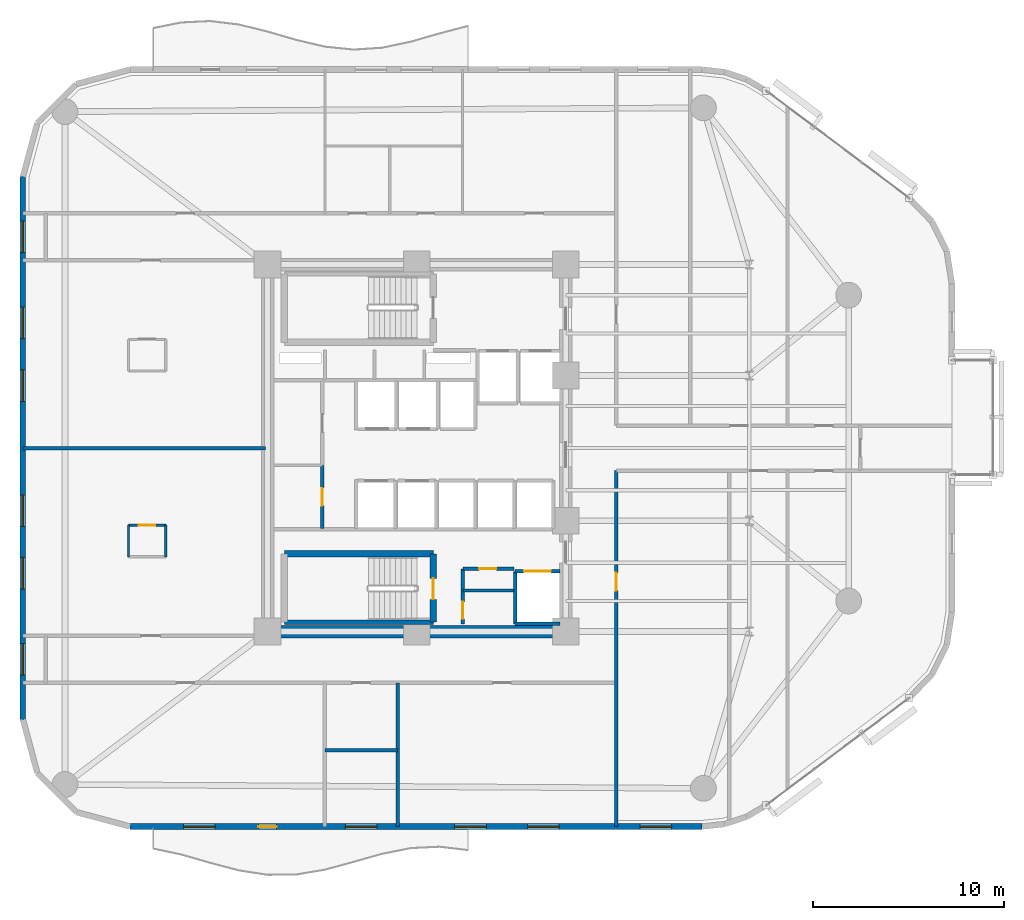
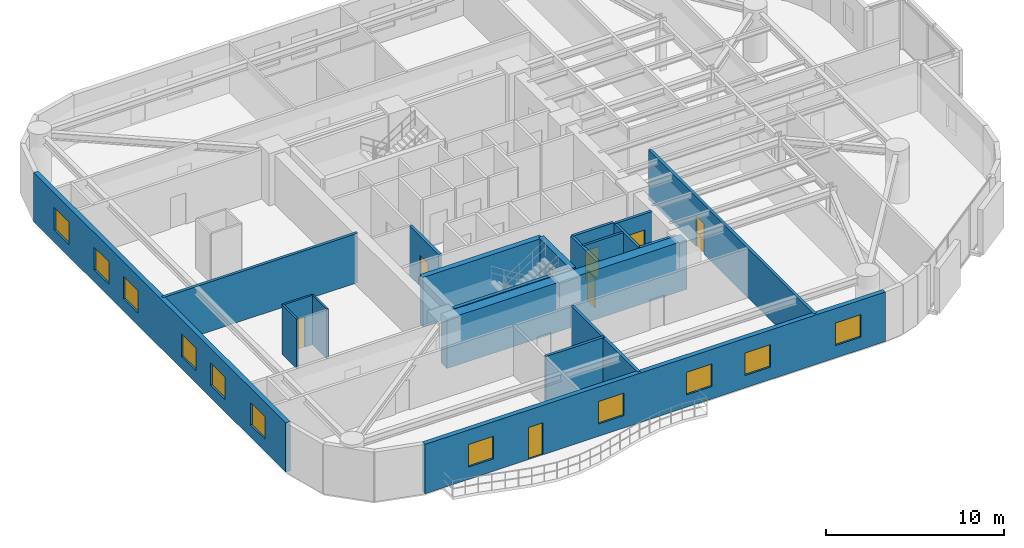
# One storey, part 8 of 14: 20 walls, 11 windows, 8 doors, 19 openings.
"""IFC4 building model written with IfcOpenShell, lengths in metres."""

import ifcopenshell
import ifcopenshell.guid

model = None  # the IFC model being written
_history = None  # IfcOwnerHistory: only IFC2X3 demands one
_inside = {}  # id of a spatial element -> (the spatial element, [elements in it])
_under = {}  # id of a project, library or spatial element -> (it, [spatial elements below it])
_declared = {}  # id of a project -> (the project, [libraries it declares])
_typed = {}  # id of a type object -> (the type object, [elements of that type])
_made_of = {}  # id of a material, layer set ... -> (it, [elements and type objects made of it])


def new_model(schema):
    """Start an empty IFC model of exactly this schema.

    Asked for "IFC4X3", IfcOpenShell would pick the latest addendum, in which some entities
    have other attributes; the version numbers below select the first issue.
    IFC2X3 requires an IfcOwnerHistory on every rooted entity: one is made here for all.
    """
    global model, _history
    if schema == "IFC4X3":
        model = ifcopenshell.file(schema_version=(4, 3, 0, 0))
    else:
        model = ifcopenshell.file(schema=schema)
    _inside.clear()
    _under.clear()
    _declared.clear()
    _typed.clear()
    _made_of.clear()
    _history = None
    if model.schema == "IFC2X3":
        org = make("IfcOrganization", Name="unknown")
        user = make(
            "IfcPersonAndOrganization",
            ThePerson=make("IfcPerson", FamilyName="unknown"),
            TheOrganization=org,
        )
        app = make(
            "IfcApplication",
            ApplicationDeveloper=org,
            Version="unknown",
            ApplicationFullName="unknown",
            ApplicationIdentifier="unknown",
        )
        _history = make(
            "IfcOwnerHistory",
            OwningUser=user,
            OwningApplication=app,
            ChangeAction="ADDED",
            CreationDate=0,
        )
    return model


def make(cls, **values):
    """One entity of the class cls with the attributes given. An attribute that is None is left unset."""
    return model.create_entity(
        cls, **{name: value for name, value in values.items() if value is not None}
    )


def rooted(cls, **values):
    """An entity with a GlobalId (a new one), such as an element, a storey or a relation."""
    return make(cls, GlobalId=ifcopenshell.guid.new(), OwnerHistory=_history, **values)


def si_unit(unit_type, name, prefix=None):
    """IfcSIUnit, for example si_unit("LENGTHUNIT", "METRE", prefix="MILLI")."""
    return make("IfcSIUnit", UnitType=unit_type, Prefix=prefix, Name=name)


def assignment(units):
    """IfcUnitAssignment: the units of a project."""
    return None if units is None else make("IfcUnitAssignment", Units=units)


def point(xyz):
    """IfcCartesianPoint."""
    return None if xyz is None else make("IfcCartesianPoint", Coordinates=xyz)


def direction(xyz):
    """IfcDirection."""
    return None if xyz is None else make("IfcDirection", DirectionRatios=xyz)


def frame(location, z_axis=None, x_axis=None):
    """IfcAxis2Placement3D, a coordinate frame: its origin and axes. An axis left out is left unset."""
    return make(
        "IfcAxis2Placement3D",
        Location=point(location),
        Axis=direction(z_axis),
        RefDirection=direction(x_axis),
    )


def frame_2d(location, x_axis=None):
    """IfcAxis2Placement2D, a coordinate frame in the plane: its origin and x axis."""
    return make(
        "IfcAxis2Placement2D", Location=point(location), RefDirection=direction(x_axis)
    )


def origin():
    """The frame at (0, 0, 0) with its axes left unset."""
    return frame((0.0, 0.0, 0.0))


def place(relative_to, where):
    """IfcLocalPlacement: puts the frame where relative to a parent placement (None: the world)."""
    return make(
        "IfcLocalPlacement", PlacementRelTo=relative_to, RelativePlacement=where
    )


def context(
    kind, dimensions, precision=None, world=None, true_north=None, identifier=None
):
    """IfcGeometricRepresentationContext, for example the 3D "Model" context."""
    return make(
        "IfcGeometricRepresentationContext",
        ContextIdentifier=identifier,
        ContextType=kind,
        CoordinateSpaceDimension=dimensions,
        Precision=precision,
        WorldCoordinateSystem=world,
        TrueNorth=true_north,
    )


def subcontext(parent, identifier, kind, view, scale=None):
    """IfcGeometricRepresentationSubContext, for example "Body" below "Model"."""
    return make(
        "IfcGeometricRepresentationSubContext",
        ContextIdentifier=identifier,
        ContextType=kind,
        ParentContext=parent,
        TargetScale=scale,
        TargetView=view,
    )


def project(units=None, contexts=None):
    """IfcProject with its units and contexts."""
    return rooted(
        "IfcProject",
        Name="project",
        RepresentationContexts=contexts,
        UnitsInContext=assignment(units),
    )


def spatial(cls, under=None, at=None, **own):
    """A site, building, storey or space (cls), placed at a placement, below another one or the project."""
    s = rooted(cls, ObjectPlacement=at, **own)
    if under is not None:
        _under.setdefault(under.id(), (under, []))[1].append(s)
    return s


def profile(cls, at=None, kind="AREA", **sizes):
    """A parametric profile (cls). Its sizes go by their IFC names, for example OverallWidth=200.0."""
    return make(cls, ProfileType=kind, Position=at, **sizes)


def rectangle(**sizes):
    """IfcRectangleProfileDef."""
    return profile("IfcRectangleProfileDef", **sizes)


def extrude(swept, where, along, depth):
    """IfcExtrudedAreaSolid: the profile swept, set in the frame where, extruded along a direction by depth."""
    return make(
        "IfcExtrudedAreaSolid",
        SweptArea=swept,
        Position=where,
        ExtrudedDirection=direction(along),
        Depth=depth,
    )


def shape(context_of_items, identifier, shape_type, items):
    """IfcShapeRepresentation: the items that make up one representation, for example the "Body"."""
    return make(
        "IfcShapeRepresentation",
        ContextOfItems=context_of_items,
        RepresentationIdentifier=identifier,
        RepresentationType=shape_type,
        Items=items,
    )


def material(Name=None, Category=None):
    """IfcMaterial."""
    return make("IfcMaterial", Name=Name, Category=Category)


def layer(
    of_material, thickness, ventilated=None, Name=None, Category=None, Priority=None
):
    """IfcMaterialLayer: one layer of a wall or slab, of a material (None: an air gap)."""
    return make(
        "IfcMaterialLayer",
        Material=of_material,
        LayerThickness=thickness,
        IsVentilated=ventilated,
        Name=Name,
        Category=Category,
        Priority=Priority,
    )


def layer_set(layers, Name=None):
    """IfcMaterialLayerSet."""
    return make("IfcMaterialLayerSet", MaterialLayers=layers, LayerSetName=Name)


def made_of(thing, what):
    """Note that an element or type object is made of a material, layer set ...; save() writes the relation."""
    if what is not None:
        _made_of.setdefault(what.id(), (what, []))[1].append(thing)
    return thing


def type_object(cls, material=None, **own):
    """A type object (cls), such as IfcWallType, which elements share."""
    return made_of(rooted(cls, **own), material)


def element(
    cls,
    number,
    at=None,
    inside=None,
    cuts=None,
    type_object=None,
    material=None,
    context=None,
    identifier="Body",
    shape_type=None,
    held_by="IfcProductDefinitionShape",
    body=None,
    shapes=None,
    **own,
):
    """One element of the class cls, such as IfcWall. Its Tag is "e" and its number.

    at: its placement. inside: the storey or other place that contains it. cuts: it is an
    opening in that element (IfcRelVoidsElement). A single representation is given by context,
    identifier, shape_type and body (its items); several are given by shapes. held_by: the class
    of the entity that holds the representations. save() writes the other relations.
    """
    e = rooted(cls, Tag="e%d" % number, ObjectPlacement=at, **own)
    if body is not None:
        shapes = [shape(context, identifier, shape_type, body)]
    if shapes is not None:
        e.Representation = make(held_by, Representations=shapes)
    if inside is not None:
        _inside.setdefault(inside.id(), (inside, []))[1].append(e)
    if cuts is not None:
        rooted(
            "IfcRelVoidsElement", RelatingBuildingElement=cuts, RelatedOpeningElement=e
        )
    if type_object is not None:
        _typed.setdefault(type_object.id(), (type_object, []))[1].append(e)
    return made_of(e, material)


def fill(opening, filler):
    """IfcRelFillsElement: the door or window that sits in an opening."""
    return rooted(
        "IfcRelFillsElement",
        RelatingOpeningElement=opening,
        RelatedBuildingElement=filler,
    )


def aggregate(whole, parts):
    """IfcRelAggregates: a whole, such as a stair, and the parts it consists of."""
    return rooted("IfcRelAggregates", RelatingObject=whole, RelatedObjects=parts)


def save(model, path):
    """Write the relations noted so far, then the file.

    IfcRelAggregates (storeys below a building ...), IfcRelContainedInSpatialStructure (elements
    in a storey), IfcRelDefinesByType, IfcRelAssociatesMaterial and IfcRelDeclares: one each for
    every whole, place, type object, material and project.
    """
    for whole, parts in _under.values():
        aggregate(whole, parts)
    for where, things in _inside.values():
        rooted(
            "IfcRelContainedInSpatialStructure",
            RelatedElements=things,
            RelatingStructure=where,
        )
    for kind, things in _typed.values():
        rooted("IfcRelDefinesByType", RelatedObjects=things, RelatingType=kind)
    for what, things in _made_of.values():
        rooted("IfcRelAssociatesMaterial", RelatedObjects=things, RelatingMaterial=what)
    for by, libraries in _declared.values():
        rooted("IfcRelDeclares", RelatingContext=by, RelatedDefinitions=libraries)
    model.write(path)


model = new_model("IFC4")

# Units and contexts
model_context = context("Model", 3, precision=1e-05, world=origin(), true_north=direction((0.0, 1.0)))
body_context = subcontext(model_context, "Body", "Model", "MODEL_VIEW")
ifc_project = project(units=[si_unit("LENGTHUNIT", "METRE"), si_unit("AREAUNIT", "SQUARE_METRE"), si_unit("VOLUMEUNIT", "CUBIC_METRE"), si_unit("PLANEANGLEUNIT", "RADIAN"), si_unit("MASSUNIT", "GRAM", prefix="KILO")], contexts=[model_context])

# Site, building, storey
site_placement = place(None, origin())
site = spatial("IfcSite", under=ifc_project, at=site_placement, CompositionType="ELEMENT")
building_placement = place(site_placement, origin())
building = spatial("IfcBuilding", under=site, at=building_placement, Name="An Khanh Terracotta Commons", CompositionType="ELEMENT")
storey_placement = place(building_placement, frame((0.0, 0.0, 115.10009765625)))
storey = spatial("IfcBuildingStorey", under=building, at=storey_placement, Name="L30", CompositionType="ELEMENT", Elevation=115.10009765625)

# Wall
ifc_material_1 = material(Name="Concrete C60/75", Category="concrete")
ifc_layer_1 = layer(ifc_material_1, 0.64990234375, Name="Concrete C60/75")
ifc_layer_set_1 = layer_set([ifc_layer_1], Name="Concrete C60/75")
wall_type_1 = type_object("IfcWallType", Name="WALL-CORE-650", PredefinedType="SHEAR", material=ifc_layer_set_1)
wall_1_placement = place(storey_placement, frame((37.199951171875, 14.39990234375, 0.0), z_axis=(0.0, 0.0, 1.0), x_axis=(-1.0, 0.0, 0.0)))
element("IfcWall", 1, at=wall_1_placement, inside=storey, type_object=wall_type_1, Name="L30 Core Wall CWALL-L30-S", PredefinedType="SHEAR", context=body_context, shape_type="SweptSolid", body=[
    extrude(rectangle(XDim=15.599853515625, YDim=0.64990234375, at=frame_2d((7.7998046875, 0.0))), origin(), (0.0, 0.0, 1.0), 3.39990234375),
])

# Wall, opening, door
ifc_material_2 = material(Name="Fire-Rated Gypsum Board on Steel Stud", Category="steel")
ifc_layer_2 = layer(ifc_material_2, 0.179931640625, Name="Fire-Rated Gypsum Board on Steel Stud")
ifc_layer_set_2 = layer_set([ifc_layer_2], Name="Fire-Rated Gypsum Board on Steel Stud")
wall_type_2 = type_object("IfcWallType", Name="WALL-CORR-180", PredefinedType="PARTITIONING", material=ifc_layer_set_2)
wall_2_placement = place(storey_placement, frame((31.820068359375, 17.679931640625, 0.0), z_axis=(0.0, 0.0, 1.0), x_axis=(1.0, 0.0, 0.0)))
wall_2 = element("IfcWall", 2, at=wall_2_placement, inside=storey, type_object=wall_type_2, Name="L30 Core Wall SSVCW-L30-N", PredefinedType="PARTITIONING", context=body_context, shape_type="SweptSolid", body=[
    extrude(rectangle(XDim=2.659912109375, YDim=0.179931640625, at=frame_2d((1.330078125, 0.0))), origin(), (0.0, 0.0, 1.0), 3.39990234375),
])
opening_1_placement = place(wall_2_placement, frame((0.85009765625, 0.0, 0.0)))
opening_1 = element("IfcOpeningElement", 3, at=opening_1_placement, cuts=wall_2, Name="Opening D-SV", PredefinedType="OPENING", context=body_context, shape_type="SweptSolid", body=[
    extrude(rectangle(XDim=0.89990234375, YDim=2.050048828125, at=frame_2d((0.449951171875, 1.02490234375))), frame((0.0, 0.099853515625, 0.0), z_axis=(0.0, -1.0, 0.0), x_axis=(1.0, 0.0, 0.0)), (0.0, 0.0, 1.0), 0.199951171875),
])
ifc_material_3 = material(Name="Fire-Rated Powder-Coated Steel Door", Category="steel")
door_type_1 = type_object("IfcDoorType", Name="DOOR-SERV-900", OperationType="NOTDEFINED", PredefinedType="DOOR", material=ifc_material_3)
door_1_placement = place(opening_1_placement, origin())
door_1 = element("IfcDoor", 4, at=door_1_placement, inside=storey, type_object=door_type_1, Name="L30 Core Cleaner Store Door", OperationType="SINGLE_SWING_RIGHT", OverallHeight=2.050048828125, OverallWidth=0.89990234375, PredefinedType="DOOR", context=body_context, shape_type="SweptSolid", body=[
    extrude(rectangle(XDim=0.89990234375, YDim=2.050048828125, at=frame_2d((0.449951171875, 1.02490234375))), frame((0.0, 0.02490234375, 0.0), z_axis=(0.0, -1.0, 0.0), x_axis=(1.0, 0.0, 0.0)), (0.0, 0.0, 1.0), 0.050048828125),
])
fill(opening_1, door_1)

wall_3_placement = place(storey_placement, frame((31.820068359375, 14.800048828125, 0.0), z_axis=(0.0, 0.0, 1.0), x_axis=(0.0, 1.0, 0.0)))
wall_3 = element("IfcWall", 5, at=wall_3_placement, inside=storey, type_object=wall_type_2, Name="L30 Core Wall SSVCW-L30-W", PredefinedType="PARTITIONING", context=body_context, shape_type="SweptSolid", body=[
    extrude(rectangle(XDim=2.8798828125, YDim=0.179931640625, at=frame_2d((1.43994140625, 0.0))), origin(), (0.0, 0.0, 1.0), 3.39990234375),
])
opening_2_placement = place(wall_3_placement, frame((0.260009765625, 0.0, 0.0)))
opening_2 = element("IfcOpeningElement", 6, at=opening_2_placement, cuts=wall_3, Name="Opening D-SV", PredefinedType="OPENING", context=body_context, shape_type="SweptSolid", body=[
    extrude(rectangle(XDim=0.89990234375, YDim=2.050048828125, at=frame_2d((0.449951171875, 1.02490234375))), frame((0.0, 0.099853515625, 0.0), z_axis=(0.0, -1.0, 0.0), x_axis=(1.0, 0.0, 0.0)), (0.0, 0.0, 1.0), 0.199951171875),
])
door_2_placement = place(opening_2_placement, origin())
door_2 = element("IfcDoor", 7, at=door_2_placement, inside=storey, type_object=door_type_1, Name="L30 Telecoms BMS Cupboard Door", OperationType="SINGLE_SWING_LEFT", OverallHeight=2.050048828125, OverallWidth=0.89990234375, PredefinedType="DOOR", context=body_context, shape_type="SweptSolid", body=[
    extrude(rectangle(XDim=0.89990234375, YDim=2.050048828125, at=frame_2d((0.449951171875, 1.02490234375))), frame((0.0, 0.02490234375, 0.0), z_axis=(0.0, -1.0, 0.0), x_axis=(1.0, 0.0, 0.0)), (0.0, 0.0, 1.0), 0.050048828125),
])
fill(opening_2, door_2)

wall_4_placement = place(storey_placement, frame((34.550048828125, 17.550048828125, 0.0), z_axis=(0.0, 0.0, 1.0), x_axis=(1.0, 0.0, 0.0)))
wall_4 = element("IfcWall", 8, at=wall_4_placement, inside=storey, type_object=wall_type_2, Name="L30 Core Wall LSH-L30-SVL-01-N", PredefinedType="PARTITIONING", context=body_context, shape_type="SweptSolid", body=[
    extrude(rectangle(XDim=2.349853515625, YDim=0.179931640625, at=frame_2d((1.1748046875, 0.0))), origin(), (0.0, 0.0, 1.0), 3.39990234375),
])
opening_3_placement = place(wall_4_placement, frame((0.47509765625, 0.0, 0.0)))
opening_3 = element("IfcOpeningElement", 9, at=opening_3_placement, cuts=wall_4, Name="Opening LD-SVL-01-L30", PredefinedType="OPENING", context=body_context, shape_type="SweptSolid", body=[
    extrude(rectangle(XDim=1.39990234375, YDim=2.300048828125, at=frame_2d((0.699951171875, 1.14990234375))), frame((0.0, 0.099853515625, 0.0), z_axis=(0.0, -1.0, 0.0), x_axis=(1.0, 0.0, 0.0)), (0.0, 0.0, 1.0), 0.199951171875),
])
ifc_material_4 = material(Name="Heavy-Duty Stainless Steel Goods Landing Door", Category="steel")
door_type_2 = type_object("IfcDoorType", Name="DOOR-LD-SVL-1400", OperationType="NOTDEFINED", PredefinedType="DOOR", material=ifc_material_4)
door_3_placement = place(opening_3_placement, origin())
door_3 = element("IfcDoor", 10, at=door_3_placement, inside=storey, type_object=door_type_2, Name="L30 Lift SVL-01 Sliding Landing Door", OperationType="DOUBLE_DOOR_SLIDING", OverallHeight=2.300048828125, OverallWidth=1.39990234375, PredefinedType="DOOR", context=body_context, shape_type="SweptSolid", body=[
    extrude(rectangle(XDim=1.39990234375, YDim=2.300048828125, at=frame_2d((0.699951171875, 1.14990234375))), frame((0.0, 0.02490234375, 0.0), z_axis=(0.0, -1.0, 0.0), x_axis=(1.0, 0.0, 0.0)), (0.0, 0.0, 1.0), 0.050048828125),
])
fill(opening_3, door_3)

# Walls
wall_5_placement = place(storey_placement, frame((36.89990234375, 14.800048828125, 0.0), z_axis=(0.0, 0.0, 1.0), x_axis=(-1.0, 0.0, 0.0)))
element("IfcWall", 11, at=wall_5_placement, inside=storey, type_object=wall_type_2, Name="L30 Core Wall LSH-L30-SVL-01-S", PredefinedType="PARTITIONING", context=body_context, shape_type="SweptSolid", body=[
    extrude(rectangle(XDim=2.349853515625, YDim=0.179931640625, at=frame_2d((1.1748046875, 0.0))), origin(), (0.0, 0.0, 1.0), 3.39990234375),
])
wall_6_placement = place(storey_placement, frame((34.550048828125, 17.550048828125, 0.0), z_axis=(0.0, 0.0, 1.0), x_axis=(0.0, -1.0, 0.0)))
element("IfcWall", 12, at=wall_6_placement, inside=storey, type_object=wall_type_2, Name="L30 Core Wall LSH-L30-SVL-01-W", PredefinedType="PARTITIONING", context=body_context, shape_type="SweptSolid", body=[
    extrude(rectangle(XDim=2.75, YDim=0.179931640625, at=frame_2d((1.375, 0.0))), origin(), (0.0, 0.0, 1.0), 3.39990234375),
])

# Wall, opening, door
wall_7_placement = place(storey_placement, frame((24.4599609375, 19.800048828125, 0.0), z_axis=(0.0, 0.0, 1.0), x_axis=(0.0, 1.0, 0.0)))
wall_7 = element("IfcWall", 13, at=wall_7_placement, inside=storey, type_object=wall_type_2, Name="L30 Core Wall RECW-L30-E2", PredefinedType="PARTITIONING", context=body_context, shape_type="SweptSolid", body=[
    extrude(rectangle(XDim=3.300048828125, YDim=0.179931640625, at=frame_2d((1.64990234375, 0.0))), origin(), (0.0, 0.0, 1.0), 3.39990234375),
])
opening_4_placement = place(wall_7_placement, frame((1.18994140625, 0.0, 0.0)))
opening_4 = element("IfcOpeningElement", 14, at=opening_4_placement, cuts=wall_7, Name="Opening D-RM", PredefinedType="OPENING", context=body_context, shape_type="SweptSolid", body=[
    extrude(rectangle(XDim=0.919921875, YDim=2.10009765625, at=frame_2d((0.4599609375, 1.050048828125))), frame((0.0, 0.099853515625, 0.0), z_axis=(0.0, -1.0, 0.0), x_axis=(1.0, 0.0, 0.0)), (0.0, 0.0, 1.0), 0.199951171875),
])
ifc_material_5 = material(Name="Engineered Hardwood Timber Leaf", Category="wood")
door_type_3 = type_object("IfcDoorType", Name="DOOR-INT-920", OperationType="NOTDEFINED", PredefinedType="DOOR", material=ifc_material_5)
door_4_placement = place(opening_4_placement, origin())
door_4 = element("IfcDoor", 15, at=door_4_placement, inside=storey, type_object=door_type_3, Name="L30 Quiet Focus Booth Door", OperationType="SINGLE_SWING_LEFT", OverallHeight=2.10009765625, OverallWidth=0.919921875, PredefinedType="DOOR", context=body_context, shape_type="SweptSolid", body=[
    extrude(rectangle(XDim=0.919921875, YDim=2.10009765625, at=frame_2d((0.4599609375, 1.050048828125))), frame((0.0, 0.02490234375, 0.0), z_axis=(0.0, -1.0, 0.0), x_axis=(1.0, 0.0, 0.0)), (0.0, 0.0, 1.0), 0.050048828125),
])
fill(opening_4, door_4)

# Walls
wall_8_placement = place(storey_placement, frame((24.60009765625, 8.199951171875, 0.0), z_axis=(0.0, 0.0, 1.0), x_axis=(1.0, 0.0, 0.0)))
element("IfcWall", 16, at=wall_8_placement, inside=storey, type_object=wall_type_2, Name="L30 Interior Partition IW-L30-E001", PredefinedType="PARTITIONING", context=body_context, shape_type="SweptSolid", body=[
    extrude(rectangle(XDim=3.7998046875, YDim=0.179931640625, at=frame_2d((1.89990234375, 0.0))), origin(), (0.0, 0.0, 1.0), 3.39990234375),
])
wall_9_placement = place(storey_placement, frame((8.800048828125, 24.0, 0.0), z_axis=(0.0, 0.0, 1.0), x_axis=(1.0, 0.0, 0.0)))
element("IfcWall", 17, at=wall_9_placement, inside=storey, type_object=wall_type_2, Name="L30 Interior Partition IW-L30-E005", PredefinedType="PARTITIONING", context=body_context, shape_type="SweptSolid", body=[
    extrude(rectangle(XDim=12.679931640625, YDim=0.179931640625, at=frame_2d((6.33984375, 0.0))), origin(), (0.0, 0.0, 1.0), 3.39990234375),
])
wall_10_placement = place(storey_placement, frame((28.39990234375, 4.199951171875, 0.0), z_axis=(0.0, 0.0, 1.0), x_axis=(0.0, 1.0, 0.0)))
element("IfcWall", 18, at=wall_10_placement, inside=storey, type_object=wall_type_2, Name="L30 Interior Partition IW-L30-E015", PredefinedType="PARTITIONING", context=body_context, shape_type="SweptSolid", body=[
    extrude(rectangle(XDim=7.52001953125, YDim=0.179931640625, at=frame_2d((3.760009765625, 0.0))), origin(), (0.0, 0.0, 1.0), 3.39990234375),
])

# Wall, opening, door
wall_11_placement = place(storey_placement, frame((39.85009765625, 4.199951171875, 0.0), z_axis=(0.0, 0.0, 1.0), x_axis=(0.0, 1.0, 0.0)))
wall_11 = element("IfcWall", 19, at=wall_11_placement, inside=storey, type_object=wall_type_2, Name="L30 Interior Partition IW-L30-E017", PredefinedType="PARTITIONING", context=body_context, shape_type="SweptSolid", body=[
    extrude(rectangle(XDim=18.6201171875, YDim=0.179931640625, at=frame_2d((9.31005859375, 0.0))), origin(), (0.0, 0.0, 1.0), 3.39990234375),
])
opening_5_placement = place(wall_11_placement, frame((12.35009765625, 0.0, 0.0)))
opening_5 = element("IfcOpeningElement", 20, at=opening_5_placement, cuts=wall_11, Name="Opening D-RM", PredefinedType="OPENING", context=body_context, shape_type="SweptSolid", body=[
    extrude(rectangle(XDim=0.919921875, YDim=2.10009765625, at=frame_2d((0.4599609375, 1.050048828125))), frame((0.0, 0.099853515625, 0.0), z_axis=(0.0, -1.0, 0.0), x_axis=(1.0, 0.0, 0.0)), (0.0, 0.0, 1.0), 0.199951171875),
])
door_5_placement = place(opening_5_placement, origin())
door_5 = element("IfcDoor", 21, at=door_5_placement, inside=storey, type_object=door_type_3, Name="L30 SB1 Collaborative Study Lounge Door", OperationType="SINGLE_SWING_LEFT", OverallHeight=2.10009765625, OverallWidth=0.919921875, PredefinedType="DOOR", context=body_context, shape_type="SweptSolid", body=[
    extrude(rectangle(XDim=0.919921875, YDim=2.10009765625, at=frame_2d((0.4599609375, 1.050048828125))), frame((0.0, 0.02490234375, 0.0), z_axis=(0.0, -1.0, 0.0), x_axis=(1.0, 0.0, 0.0)), (0.0, 0.0, 1.0), 0.050048828125),
])
fill(opening_5, door_5)

# Wall, openings, door, windows
ifc_material_6 = material(Name="Precast concrete C40/50", Category="concrete")
ifc_layer_3 = layer(ifc_material_6, 0.300048828125, Name="Precast concrete C40/50")
ifc_layer_set_3 = layer_set([ifc_layer_3], Name="Precast concrete C40/50")
wall_type_3 = type_object("IfcWallType", Name="WALL-EXT-300", PredefinedType="SOLIDWALL", material=ifc_layer_set_3)
wall_12_placement = place(storey_placement, frame((14.39990234375, 4.199951171875, 0.0), z_axis=(0.0, 0.0, 1.0), x_axis=(1.0, 0.0, 0.0)))
wall_12 = element("IfcWall", 22, at=wall_12_placement, inside=storey, type_object=wall_type_3, Name="L30 Insulated Terracotta Exterior Wall 4", PredefinedType="SOLIDWALL", context=body_context, shape_type="SweptSolid", body=[
    extrude(rectangle(XDim=29.93310546875, YDim=0.300048828125, at=frame_2d((14.966552734375, 0.0))), origin(), (0.0, 0.0, 1.0), 3.39990234375),
])
opening_6_placement = place(wall_12_placement, frame((6.72509765625, 0.0, 0.0)))
opening_6 = element("IfcOpeningElement", 23, at=opening_6_placement, cuts=wall_12, Name="Opening D-BAL", PredefinedType="OPENING", context=body_context, shape_type="SweptSolid", body=[
    extrude(rectangle(XDim=0.949951171875, YDim=2.199951171875, at=frame_2d((0.47509765625, 1.10009765625))), frame((0.0, 0.159912109375, 0.0), z_axis=(0.0, -1.0, 0.0), x_axis=(1.0, 0.0, 0.0)), (0.0, 0.0, 1.0), 0.320068359375),
])
opening_7_placement = place(wall_12_placement, frame((2.80810546875, 0.0, 0.85009765625)))
opening_7 = element("IfcOpeningElement", 24, at=opening_7_placement, cuts=wall_12, Name="Opening W-02", PredefinedType="OPENING", context=body_context, shape_type="SweptSolid", body=[
    extrude(rectangle(XDim=1.64990234375, YDim=1.550048828125, at=frame_2d((0.824951171875, 0.77490234375))), frame((0.0, 0.159912109375, 0.0), z_axis=(0.0, -1.0, 0.0), x_axis=(1.0, 0.0, 0.0)), (0.0, 0.0, 1.0), 0.320068359375),
])
opening_8_placement = place(wall_12_placement, frame((11.27490234375, 0.0, 0.85009765625)))
opening_8 = element("IfcOpeningElement", 25, at=opening_8_placement, cuts=wall_12, Name="Opening W-02", PredefinedType="OPENING", context=body_context, shape_type="SweptSolid", body=[
    extrude(rectangle(XDim=1.64990234375, YDim=1.550048828125, at=frame_2d((0.824951171875, 0.77490234375))), frame((0.0, 0.159912109375, 0.0), z_axis=(0.0, -1.0, 0.0), x_axis=(1.0, 0.0, 0.0)), (0.0, 0.0, 1.0), 0.320068359375),
])
opening_9_placement = place(wall_12_placement, frame((16.991943359375, 0.0, 0.85009765625)))
opening_9 = element("IfcOpeningElement", 26, at=opening_9_placement, cuts=wall_12, Name="Opening W-02", PredefinedType="OPENING", context=body_context, shape_type="SweptSolid", body=[
    extrude(rectangle(XDim=1.64990234375, YDim=1.550048828125, at=frame_2d((0.824951171875, 0.77490234375))), frame((0.0, 0.159912109375, 0.0), z_axis=(0.0, -1.0, 0.0), x_axis=(1.0, 0.0, 0.0)), (0.0, 0.0, 1.0), 0.320068359375),
])
opening_10_placement = place(wall_12_placement, frame((20.80810546875, 0.0, 0.85009765625)))
opening_10 = element("IfcOpeningElement", 27, at=opening_10_placement, cuts=wall_12, Name="Opening W-02", PredefinedType="OPENING", context=body_context, shape_type="SweptSolid", body=[
    extrude(rectangle(XDim=1.64990234375, YDim=1.550048828125, at=frame_2d((0.824951171875, 0.77490234375))), frame((0.0, 0.159912109375, 0.0), z_axis=(0.0, -1.0, 0.0), x_axis=(1.0, 0.0, 0.0)), (0.0, 0.0, 1.0), 0.320068359375),
])
opening_11_placement = place(wall_12_placement, frame((26.69189453125, 0.0, 0.85009765625)))
opening_11 = element("IfcOpeningElement", 28, at=opening_11_placement, cuts=wall_12, Name="Opening W-02", PredefinedType="OPENING", context=body_context, shape_type="SweptSolid", body=[
    extrude(rectangle(XDim=1.64990234375, YDim=1.550048828125, at=frame_2d((0.824951171875, 0.77490234375))), frame((0.0, 0.159912109375, 0.0), z_axis=(0.0, -1.0, 0.0), x_axis=(1.0, 0.0, 0.0)), (0.0, 0.0, 1.0), 0.320068359375),
])
ifc_material_7 = material(Name="Thermally Broken Aluminium and Low-E Glass", Category="aluminium")
door_type_4 = type_object("IfcDoorType", Name="DOOR-BALC-950", OperationType="NOTDEFINED", PredefinedType="DOOR", material=ifc_material_7)
door_6_placement = place(opening_6_placement, origin())
door_6 = element("IfcDoor", 29, at=door_6_placement, inside=storey, type_object=door_type_4, Name="L30 S Wave Balcony Glazed Door", OperationType="SINGLE_SWING_LEFT", OverallHeight=2.199951171875, OverallWidth=0.949951171875, PredefinedType="DOOR", context=body_context, shape_type="SweptSolid", body=[
    extrude(rectangle(XDim=0.949951171875, YDim=2.199951171875, at=frame_2d((0.47509765625, 1.10009765625))), frame((0.0, 0.02490234375, 0.0), z_axis=(0.0, -1.0, 0.0), x_axis=(1.0, 0.0, 0.0)), (0.0, 0.0, 1.0), 0.050048828125),
])
fill(opening_6, door_6)
window_type = type_object("IfcWindowType", Name="WIN-Z2-1650x1550", PartitioningType="DOUBLE_PANEL_VERTICAL", PredefinedType="WINDOW", material=ifc_material_7)
window_1_placement = place(opening_7_placement, origin())
window_1 = element("IfcWindow", 30, at=window_1_placement, inside=storey, type_object=window_type, Name="L30 Operable Casement Window 4.1", OverallHeight=1.550048828125, OverallWidth=1.64990234375, PartitioningType="DOUBLE_PANEL_VERTICAL", PredefinedType="WINDOW", context=body_context, shape_type="SweptSolid", body=[
    extrude(rectangle(XDim=1.64990234375, YDim=1.550048828125, at=frame_2d((0.824951171875, 0.77490234375))), frame((0.0, 0.030029296875, 0.0), z_axis=(0.0, -1.0, 0.0), x_axis=(1.0, 0.0, 0.0)), (0.0, 0.0, 1.0), 0.06005859375),
])
fill(opening_7, window_1)
window_2_placement = place(opening_8_placement, origin())
window_2 = element("IfcWindow", 31, at=window_2_placement, inside=storey, type_object=window_type, Name="L30 Operable Casement Window 4.2", OverallHeight=1.550048828125, OverallWidth=1.64990234375, PartitioningType="DOUBLE_PANEL_VERTICAL", PredefinedType="WINDOW", context=body_context, shape_type="SweptSolid", body=[
    extrude(rectangle(XDim=1.64990234375, YDim=1.550048828125, at=frame_2d((0.824951171875, 0.77490234375))), frame((0.0, 0.030029296875, 0.0), z_axis=(0.0, -1.0, 0.0), x_axis=(1.0, 0.0, 0.0)), (0.0, 0.0, 1.0), 0.06005859375),
])
fill(opening_8, window_2)
window_3_placement = place(opening_9_placement, origin())
window_3 = element("IfcWindow", 32, at=window_3_placement, inside=storey, type_object=window_type, Name="L30 Operable Casement Window 4.3", OverallHeight=1.550048828125, OverallWidth=1.64990234375, PartitioningType="DOUBLE_PANEL_VERTICAL", PredefinedType="WINDOW", context=body_context, shape_type="SweptSolid", body=[
    extrude(rectangle(XDim=1.64990234375, YDim=1.550048828125, at=frame_2d((0.824951171875, 0.77490234375))), frame((0.0, 0.030029296875, 0.0), z_axis=(0.0, -1.0, 0.0), x_axis=(1.0, 0.0, 0.0)), (0.0, 0.0, 1.0), 0.06005859375),
])
fill(opening_9, window_3)
window_4_placement = place(opening_10_placement, origin())
window_4 = element("IfcWindow", 33, at=window_4_placement, inside=storey, type_object=window_type, Name="L30 Operable Casement Window 4.4", OverallHeight=1.550048828125, OverallWidth=1.64990234375, PartitioningType="DOUBLE_PANEL_VERTICAL", PredefinedType="WINDOW", context=body_context, shape_type="SweptSolid", body=[
    extrude(rectangle(XDim=1.64990234375, YDim=1.550048828125, at=frame_2d((0.824951171875, 0.77490234375))), frame((0.0, 0.030029296875, 0.0), z_axis=(0.0, -1.0, 0.0), x_axis=(1.0, 0.0, 0.0)), (0.0, 0.0, 1.0), 0.06005859375),
])
fill(opening_10, window_4)
window_5_placement = place(opening_11_placement, origin())
window_5 = element("IfcWindow", 34, at=window_5_placement, inside=storey, type_object=window_type, Name="L30 Operable Casement Window 4.5", OverallHeight=1.550048828125, OverallWidth=1.64990234375, PartitioningType="DOUBLE_PANEL_VERTICAL", PredefinedType="WINDOW", context=body_context, shape_type="SweptSolid", body=[
    extrude(rectangle(XDim=1.64990234375, YDim=1.550048828125, at=frame_2d((0.824951171875, 0.77490234375))), frame((0.0, 0.030029296875, 0.0), z_axis=(0.0, -1.0, 0.0), x_axis=(1.0, 0.0, 0.0)), (0.0, 0.0, 1.0), 0.06005859375),
])
fill(opening_11, window_5)

# Wall, openings, windows
wall_13_placement = place(storey_placement, frame((8.800048828125, 38.199951171875, 0.0), z_axis=(0.0, 0.0, 1.0), x_axis=(0.0, -1.0, 0.0)))
wall_13 = element("IfcWall", 35, at=wall_13_placement, inside=storey, type_object=wall_type_3, Name="L30 Insulated Terracotta Exterior Wall 24", PredefinedType="SOLIDWALL", context=body_context, shape_type="SweptSolid", body=[
    extrude(rectangle(XDim=28.39990234375, YDim=0.300048828125, at=frame_2d((14.199951171875, 0.0))), origin(), (0.0, 0.0, 1.0), 3.39990234375),
])
opening_12_placement = place(wall_13_placement, frame((2.324951171875, 0.0, 0.85009765625)))
opening_12 = element("IfcOpeningElement", 36, at=opening_12_placement, cuts=wall_13, Name="Opening W-02", PredefinedType="OPENING", context=body_context, shape_type="SweptSolid", body=[
    extrude(rectangle(XDim=1.64990234375, YDim=1.550048828125, at=frame_2d((0.824951171875, 0.77490234375))), frame((0.0, 0.159912109375, 0.0), z_axis=(0.0, -1.0, 0.0), x_axis=(1.0, 0.0, 0.0)), (0.0, 0.0, 1.0), 0.320068359375),
])
opening_13_placement = place(wall_13_placement, frame((6.827880859375, 0.0, 0.85009765625)))
opening_13 = element("IfcOpeningElement", 37, at=opening_13_placement, cuts=wall_13, Name="Opening W-02", PredefinedType="OPENING", context=body_context, shape_type="SweptSolid", body=[
    extrude(rectangle(XDim=1.64990234375, YDim=1.550048828125, at=frame_2d((0.824951171875, 0.77490234375))), frame((0.0, 0.159912109375, 0.0), z_axis=(0.0, -1.0, 0.0), x_axis=(1.0, 0.0, 0.0)), (0.0, 0.0, 1.0), 0.320068359375),
])
opening_14_placement = place(wall_13_placement, frame((10.10205078125, 0.0, 0.85009765625)))
opening_14 = element("IfcOpeningElement", 38, at=opening_14_placement, cuts=wall_13, Name="Opening W-02", PredefinedType="OPENING", context=body_context, shape_type="SweptSolid", body=[
    extrude(rectangle(XDim=1.64990234375, YDim=1.550048828125, at=frame_2d((0.824951171875, 0.77490234375))), frame((0.0, 0.159912109375, 0.0), z_axis=(0.0, -1.0, 0.0), x_axis=(1.0, 0.0, 0.0)), (0.0, 0.0, 1.0), 0.320068359375),
])
opening_15_placement = place(wall_13_placement, frame((16.64794921875, 0.0, 0.85009765625)))
opening_15 = element("IfcOpeningElement", 39, at=opening_15_placement, cuts=wall_13, Name="Opening W-02", PredefinedType="OPENING", context=body_context, shape_type="SweptSolid", body=[
    extrude(rectangle(XDim=1.64990234375, YDim=1.550048828125, at=frame_2d((0.824951171875, 0.77490234375))), frame((0.0, 0.159912109375, 0.0), z_axis=(0.0, -1.0, 0.0), x_axis=(1.0, 0.0, 0.0)), (0.0, 0.0, 1.0), 0.320068359375),
])
opening_16_placement = place(wall_13_placement, frame((19.922119140625, 0.0, 0.85009765625)))
opening_16 = element("IfcOpeningElement", 40, at=opening_16_placement, cuts=wall_13, Name="Opening W-02", PredefinedType="OPENING", context=body_context, shape_type="SweptSolid", body=[
    extrude(rectangle(XDim=1.64990234375, YDim=1.550048828125, at=frame_2d((0.824951171875, 0.77490234375))), frame((0.0, 0.159912109375, 0.0), z_axis=(0.0, -1.0, 0.0), x_axis=(1.0, 0.0, 0.0)), (0.0, 0.0, 1.0), 0.320068359375),
])
opening_17_placement = place(wall_13_placement, frame((24.425048828125, 0.0, 0.85009765625)))
opening_17 = element("IfcOpeningElement", 41, at=opening_17_placement, cuts=wall_13, Name="Opening W-02", PredefinedType="OPENING", context=body_context, shape_type="SweptSolid", body=[
    extrude(rectangle(XDim=1.64990234375, YDim=1.550048828125, at=frame_2d((0.824951171875, 0.77490234375))), frame((0.0, 0.159912109375, 0.0), z_axis=(0.0, -1.0, 0.0), x_axis=(1.0, 0.0, 0.0)), (0.0, 0.0, 1.0), 0.320068359375),
])
window_6_placement = place(opening_12_placement, origin())
window_6 = element("IfcWindow", 42, at=window_6_placement, inside=storey, type_object=window_type, Name="L30 Operable Casement Window 24.1", OverallHeight=1.550048828125, OverallWidth=1.64990234375, PartitioningType="DOUBLE_PANEL_VERTICAL", PredefinedType="WINDOW", context=body_context, shape_type="SweptSolid", body=[
    extrude(rectangle(XDim=1.64990234375, YDim=1.550048828125, at=frame_2d((0.824951171875, 0.77490234375))), frame((0.0, 0.030029296875, 0.0), z_axis=(0.0, -1.0, 0.0), x_axis=(1.0, 0.0, 0.0)), (0.0, 0.0, 1.0), 0.06005859375),
])
fill(opening_12, window_6)
window_7_placement = place(opening_13_placement, origin())
window_7 = element("IfcWindow", 43, at=window_7_placement, inside=storey, type_object=window_type, Name="L30 Operable Casement Window 24.2", OverallHeight=1.550048828125, OverallWidth=1.64990234375, PartitioningType="DOUBLE_PANEL_VERTICAL", PredefinedType="WINDOW", context=body_context, shape_type="SweptSolid", body=[
    extrude(rectangle(XDim=1.64990234375, YDim=1.550048828125, at=frame_2d((0.824951171875, 0.77490234375))), frame((0.0, 0.030029296875, 0.0), z_axis=(0.0, -1.0, 0.0), x_axis=(1.0, 0.0, 0.0)), (0.0, 0.0, 1.0), 0.06005859375),
])
fill(opening_13, window_7)
window_8_placement = place(opening_14_placement, origin())
window_8 = element("IfcWindow", 44, at=window_8_placement, inside=storey, type_object=window_type, Name="L30 Operable Casement Window 24.3", OverallHeight=1.550048828125, OverallWidth=1.64990234375, PartitioningType="DOUBLE_PANEL_VERTICAL", PredefinedType="WINDOW", context=body_context, shape_type="SweptSolid", body=[
    extrude(rectangle(XDim=1.64990234375, YDim=1.550048828125, at=frame_2d((0.824951171875, 0.77490234375))), frame((0.0, 0.030029296875, 0.0), z_axis=(0.0, -1.0, 0.0), x_axis=(1.0, 0.0, 0.0)), (0.0, 0.0, 1.0), 0.06005859375),
])
fill(opening_14, window_8)
window_9_placement = place(opening_15_placement, origin())
window_9 = element("IfcWindow", 45, at=window_9_placement, inside=storey, type_object=window_type, Name="L30 Operable Casement Window 24.4", OverallHeight=1.550048828125, OverallWidth=1.64990234375, PartitioningType="DOUBLE_PANEL_VERTICAL", PredefinedType="WINDOW", context=body_context, shape_type="SweptSolid", body=[
    extrude(rectangle(XDim=1.64990234375, YDim=1.550048828125, at=frame_2d((0.824951171875, 0.77490234375))), frame((0.0, 0.030029296875, 0.0), z_axis=(0.0, -1.0, 0.0), x_axis=(1.0, 0.0, 0.0)), (0.0, 0.0, 1.0), 0.06005859375),
])
fill(opening_15, window_9)
window_10_placement = place(opening_16_placement, origin())
window_10 = element("IfcWindow", 46, at=window_10_placement, inside=storey, type_object=window_type, Name="L30 Operable Casement Window 24.5", OverallHeight=1.550048828125, OverallWidth=1.64990234375, PartitioningType="DOUBLE_PANEL_VERTICAL", PredefinedType="WINDOW", context=body_context, shape_type="SweptSolid", body=[
    extrude(rectangle(XDim=1.64990234375, YDim=1.550048828125, at=frame_2d((0.824951171875, 0.77490234375))), frame((0.0, 0.030029296875, 0.0), z_axis=(0.0, -1.0, 0.0), x_axis=(1.0, 0.0, 0.0)), (0.0, 0.0, 1.0), 0.06005859375),
])
fill(opening_16, window_10)
window_11_placement = place(opening_17_placement, origin())
window_11 = element("IfcWindow", 47, at=window_11_placement, inside=storey, type_object=window_type, Name="L30 Operable Casement Window 24.6", OverallHeight=1.550048828125, OverallWidth=1.64990234375, PartitioningType="DOUBLE_PANEL_VERTICAL", PredefinedType="WINDOW", context=body_context, shape_type="SweptSolid", body=[
    extrude(rectangle(XDim=1.64990234375, YDim=1.550048828125, at=frame_2d((0.824951171875, 0.77490234375))), frame((0.0, 0.030029296875, 0.0), z_axis=(0.0, -1.0, 0.0), x_axis=(1.0, 0.0, 0.0)), (0.0, 0.0, 1.0), 0.06005859375),
])
fill(opening_17, window_11)

# Walls
ifc_material_8 = material(Name="Acoustic Gypsum Board Partition")
ifc_layer_4 = layer(ifc_material_8, 0.14990234375, Name="Acoustic Gypsum Board Partition")
ifc_layer_set_4 = layer_set([ifc_layer_4], Name="Acoustic Gypsum Board Partition")
wall_type_4 = type_object("IfcWallType", Name="WALL-PART-150", PredefinedType="PARTITIONING", material=ifc_layer_set_4)
wall_14_placement = place(storey_placement, frame((31.820068359375, 16.550048828125, 0.0), z_axis=(0.0, 0.0, 1.0), x_axis=(1.0, 0.0, 0.0)))
element("IfcWall", 48, at=wall_14_placement, inside=storey, type_object=wall_type_4, Name="L30 Core Wall SSVCW-L30-M", PredefinedType="PARTITIONING", context=body_context, shape_type="SweptSolid", body=[
    extrude(rectangle(XDim=2.659912109375, YDim=0.14990234375, at=frame_2d((1.330078125, 0.0))), origin(), (0.0, 0.0, 1.0), 3.39990234375),
])
ifc_material_9 = material(Name="Acoustic Double-Stud Gypsum and Mineral Wool")
ifc_layer_5 = layer(ifc_material_9, 0.219970703125, Name="Acoustic Double-Stud Gypsum and Mineral Wool")
ifc_layer_set_5 = layer_set([ifc_layer_5], Name="Acoustic Double-Stud Gypsum and Mineral Wool")
wall_type_5 = type_object("IfcWallType", Name="WALL-PARTY-220", PredefinedType="PARTITIONING", material=ifc_layer_set_5)
wall_15_placement = place(storey_placement, frame((22.47998046875, 14.889892578125, 0.0), z_axis=(0.0, 0.0, 1.0), x_axis=(1.0, 0.0, 0.0)))
element("IfcWall", 49, at=wall_15_placement, inside=storey, type_object=wall_type_5, Name="L30 Core Wall STW-L30-S-S", PredefinedType="PARTITIONING", context=body_context, shape_type="SweptSolid", body=[
    extrude(rectangle(XDim=7.7900390625, YDim=0.219970703125, at=frame_2d((3.89501953125, 0.0))), origin(), (0.0, 0.0, 1.0), 3.39990234375),
])
ifc_material_10 = material(Name="Concrete C50/60", Category="concrete")
ifc_layer_6 = layer(ifc_material_10, 0.35009765625, Name="Concrete C50/60")
ifc_layer_set_6 = layer_set([ifc_layer_6], Name="Concrete C50/60")
wall_type_6 = type_object("IfcWallType", Name="WALL-SHAFT-350", PredefinedType="SOLIDWALL", material=ifc_layer_set_6)
wall_16_placement = place(storey_placement, frame((22.47998046875, 18.469970703125, 0.0), z_axis=(0.0, 0.0, 1.0), x_axis=(1.0, 0.0, 0.0)))
element("IfcWall", 50, at=wall_16_placement, inside=storey, type_object=wall_type_6, Name="L30 Core Wall STW-L30-S-N", PredefinedType="SOLIDWALL", context=body_context, shape_type="SweptSolid", body=[
    extrude(rectangle(XDim=7.7900390625, YDim=0.35009765625, at=frame_2d((3.89501953125, 0.0))), origin(), (0.0, 0.0, 1.0), 3.39990234375),
])

# Wall, opening, door
wall_17_placement = place(storey_placement, frame((30.27001953125, 14.889892578125, 0.0), z_axis=(0.0, 0.0, 1.0), x_axis=(0.0, 1.0, 0.0)))
wall_17 = element("IfcWall", 51, at=wall_17_placement, inside=storey, type_object=wall_type_6, Name="L30 Core Wall STW-L30-S-E", PredefinedType="SOLIDWALL", context=body_context, shape_type="SweptSolid", body=[
    extrude(rectangle(XDim=3.580078125, YDim=0.35009765625, at=frame_2d((1.7900390625, 0.0))), origin(), (0.0, 0.0, 1.0), 3.39990234375),
])
opening_18_placement = place(wall_17_placement, frame((1.18994140625, 0.0, 0.0)))
opening_18 = element("IfcOpeningElement", 52, at=opening_18_placement, cuts=wall_17, Name="Opening D-ST", PredefinedType="OPENING", context=body_context, shape_type="SweptSolid", body=[
    extrude(rectangle(XDim=1.10009765625, YDim=2.14990234375, at=frame_2d((0.550048828125, 1.074951171875))), frame((0.0, 0.18505859375, 0.0), z_axis=(0.0, -1.0, 0.0), x_axis=(1.0, 0.0, 0.0)), (0.0, 0.0, 1.0), 0.3701171875),
])
ifc_material_11 = material(Name="Fire-Rated Steel Leaf and Frame", Category="steel")
door_type_5 = type_object("IfcDoorType", Name="DOOR-STAIR-1100", OperationType="NOTDEFINED", PredefinedType="DOOR", material=ifc_material_11)
door_7_placement = place(opening_18_placement, origin())
door_7 = element("IfcDoor", 53, at=door_7_placement, inside=storey, type_object=door_type_5, Name="L30 Stair ST-02 Fire Door", OperationType="SINGLE_SWING_LEFT", OverallHeight=2.14990234375, OverallWidth=1.10009765625, PredefinedType="DOOR", context=body_context, shape_type="SweptSolid", body=[
    extrude(rectangle(XDim=1.10009765625, YDim=2.14990234375, at=frame_2d((0.550048828125, 1.074951171875))), frame((0.0, 0.02490234375, 0.0), z_axis=(0.0, -1.0, 0.0), x_axis=(1.0, 0.0, 0.0)), (0.0, 0.0, 1.0), 0.050048828125),
])
fill(opening_18, door_7)

ifc_material_12 = material(Name="Moisture-Resistant Cement Board Partition")
ifc_layer_7 = layer(ifc_material_12, 0.1201171875, Name="Moisture-Resistant Cement Board Partition")
ifc_layer_set_7 = layer_set([ifc_layer_7], Name="Moisture-Resistant Cement Board Partition")
wall_type_7 = type_object("IfcWallType", Name="WALL-WET-120", PredefinedType="PARTITIONING", material=ifc_layer_set_7)
wall_18_placement = place(storey_placement, frame((14.324951171875, 19.965087890625, 0.0), z_axis=(0.0, 0.0, 1.0), x_axis=(1.0, 0.0, 0.0)))
wall_18 = element("IfcWall", 54, at=wall_18_placement, inside=storey, type_object=wall_type_7, Name="L30 Interior Partition IW-L30-WW1-BN", PredefinedType="PARTITIONING", context=body_context, shape_type="SweptSolid", body=[
    extrude(rectangle(XDim=1.949951171875, YDim=0.1201171875, at=frame_2d((0.97509765625, 0.0))), origin(), (0.0, 0.0, 1.0), 3.39990234375),
])
opening_19_placement = place(wall_18_placement, frame((0.544921875, 0.0, 0.0)))
opening_19 = element("IfcOpeningElement", 55, at=opening_19_placement, cuts=wall_18, Name="Opening D-ENS", PredefinedType="OPENING", context=body_context, shape_type="SweptSolid", body=[
    extrude(rectangle(XDim=0.860107421875, YDim=2.10009765625, at=frame_2d((0.43017578125, 1.050048828125))), frame((0.0, 0.070068359375, 0.0), z_axis=(0.0, -1.0, 0.0), x_axis=(1.0, 0.0, 0.0)), (0.0, 0.0, 1.0), 0.14013671875),
])
ifc_material_13 = material(Name="Moisture-Resistant Hardwood Timber Leaf", Category="wood")
door_type_6 = type_object("IfcDoorType", Name="DOOR-BATH-860", OperationType="NOTDEFINED", PredefinedType="DOOR", material=ifc_material_13)
door_8_placement = place(opening_19_placement, origin())
door_8 = element("IfcDoor", 56, at=door_8_placement, inside=storey, type_object=door_type_6, Name="L30 Studio WW1 En-suite Door", OperationType="SINGLE_SWING_RIGHT", OverallHeight=2.10009765625, OverallWidth=0.860107421875, PredefinedType="DOOR", context=body_context, shape_type="SweptSolid", body=[
    extrude(rectangle(XDim=0.860107421875, YDim=2.10009765625, at=frame_2d((0.43017578125, 1.050048828125))), frame((0.0, 0.02490234375, 0.0), z_axis=(0.0, -1.0, 0.0), x_axis=(1.0, 0.0, 0.0)), (0.0, 0.0, 1.0), 0.050048828125),
])
fill(opening_19, door_8)

# Walls
for number, where, z_axis, x_axis, name in (
    (57, (14.324951171875, 19.965087890625, 0.0), (0.0, 0.0, 1.0), (0.0, -1.0, 0.0), "L30 Interior Partition IW-L30-WW1-BW"),
    (58, (16.27490234375, 18.31494140625, 0.0), (0.0, 0.0, 1.0), (0.0, 1.0, 0.0), "L30 Interior Partition IW-L30-WW1-BE"),
):
    element("IfcWall", number, at=place(storey_placement, frame(where, z_axis=z_axis, x_axis=x_axis)), inside=storey, type_object=wall_type_7, Name=name, PredefinedType="PARTITIONING", context=body_context, shape_type="SweptSolid", body=[
        extrude(rectangle(XDim=1.650146484375, YDim=0.1201171875, at=frame_2d((0.8251953125, 0.0))), origin(), (0.0, 0.0, 1.0), 3.39990234375),
    ])

save(model, "model.ifc")
